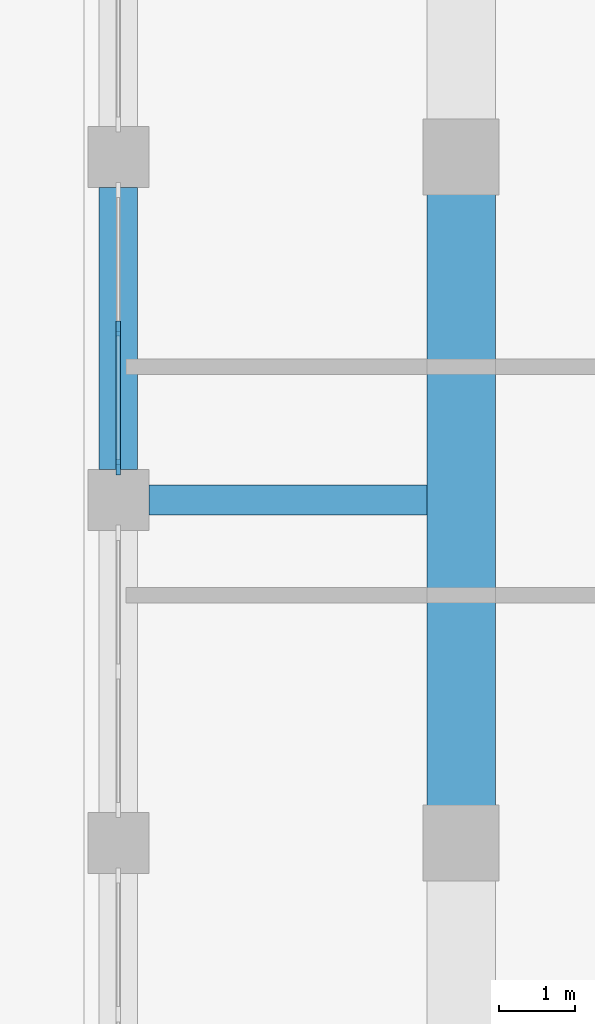
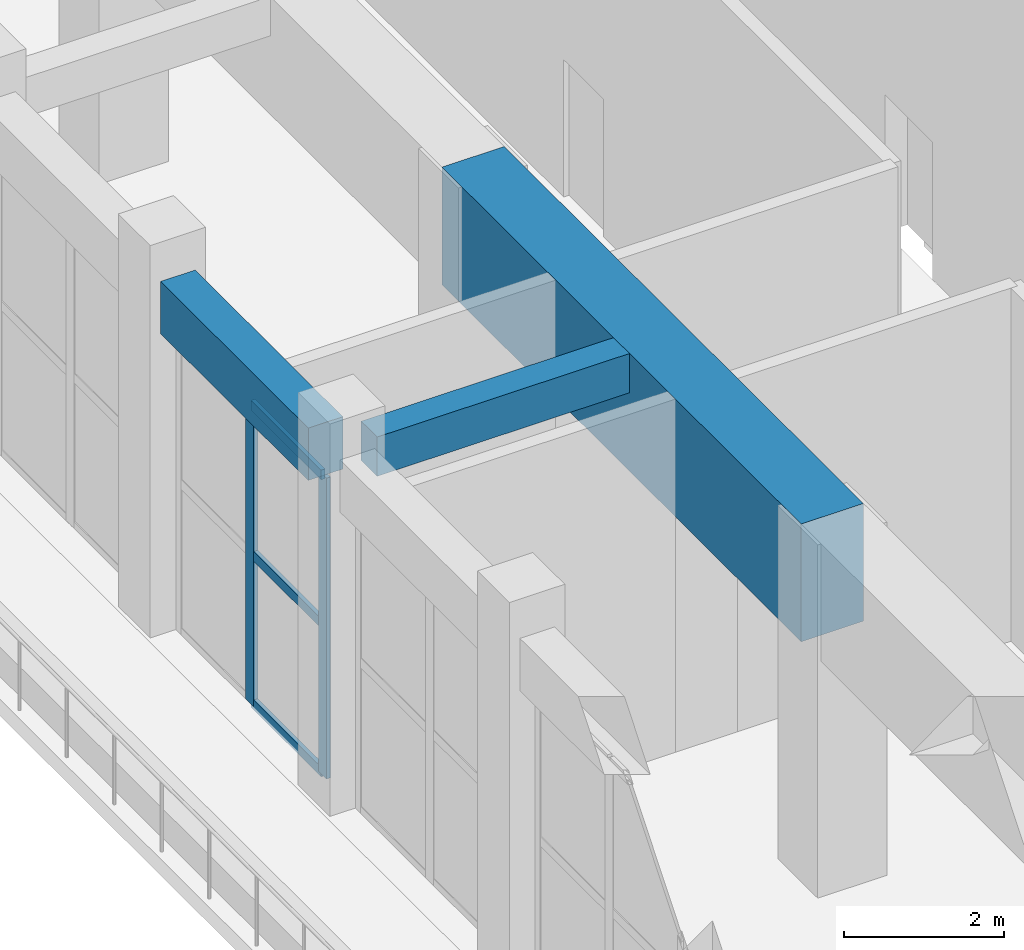
# One storey, part 3 of 20: 5 members, 3 beams, 1 element without a shape of its own.
"""IFC4 building model written with IfcOpenShell, lengths in metres."""

from ifc_helpers import new_model, si_unit, direction, frame, origin, origin_2d, place, context, subcontext, project, spatial, rectangle, extrude, material, material_profile, profile_set, type_object, element, aggregate, save


model = new_model("IFC4")

# Units and contexts
model_context = context("Model", 3, precision=1e-05, world=origin(), true_north=direction((0.0, 1.0)))
body_context = subcontext(model_context, "Body", "Model", "MODEL_VIEW")
ifc_project = project(units=[si_unit("LENGTHUNIT", "METRE"), si_unit("AREAUNIT", "SQUARE_METRE"), si_unit("VOLUMEUNIT", "CUBIC_METRE"), si_unit("PLANEANGLEUNIT", "RADIAN"), si_unit("MASSUNIT", "GRAM", prefix="KILO")], contexts=[model_context])

# Site, building, storey
site_placement = place(None, origin())
site = spatial("IfcSite", under=ifc_project, at=site_placement, CompositionType="ELEMENT")
building_placement = place(site_placement, origin())
building = spatial("IfcBuilding", under=site, at=building_placement, Name="Corbel Stack Research Tower", CompositionType="ELEMENT")
storey_placement = place(building_placement, frame((0.0, 0.0, 295.0)))
storey = spatial("IfcBuildingStorey", under=building, at=storey_placement, Name="L67", CompositionType="ELEMENT", Elevation=295.0)

# Curtain wall, members
ifc_material_1 = material(Name="Aluminium frame, clear glass", Category="aluminium")
curtain_wall_type = type_object("IfcCurtainWallType", Name="Upper amenity floor curtain wall CW3", PredefinedType="NOTDEFINED", material=ifc_material_1)
curtain_wall_placement = place(storey_placement, origin())
curtain_wall = element("IfcCurtainWall", 1, at=curtain_wall_placement, inside=storey, type_object=curtain_wall_type, Name="Curtain wall CW3 L67 W04", PredefinedType="NOTDEFINED")
ifc_material_2 = material(Name="Aluminium mullion", Category="aluminium")
ifc_material_profile_1 = material_profile(ifc_material_2, rectangle(XDim=0.06005859375, YDim=0.199951171875, at=origin_2d()), Name="Mullion 60 x 200")
ifc_profile_set_1 = profile_set([ifc_material_profile_1], Name="Aluminium mullion")
member_type_1 = type_object("IfcMemberType", Name="Curtain wall mullion 60 x 200", PredefinedType="MULLION", material=ifc_profile_set_1)
member_1_placement = place(storey_placement, frame((-22.5, 6.75, 0.0), z_axis=(0.0, 0.0, 1.0), x_axis=(1.0, 0.0, 0.0)))
member_1 = element("IfcMember", 2, at=member_1_placement, type_object=member_type_1, Name="CW3 mullion 2", PredefinedType="MULLION", context=body_context, shape_type="SweptSolid", body=[
    extrude(rectangle(XDim=0.06005859375, YDim=0.199951171875, at=origin_2d()), origin(), (0.0, 0.0, 1.0), 4.60009765625),
])
member_2_placement = place(storey_placement, frame((-22.5, 4.929931640625, 0.0), z_axis=(0.0, 0.0, 1.0), x_axis=(1.0, 0.0, 0.0)))
member_2 = element("IfcMember", 3, at=member_2_placement, type_object=member_type_1, Name="CW3 mullion 3", PredefinedType="MULLION", context=body_context, shape_type="SweptSolid", body=[
    extrude(rectangle(XDim=0.06005859375, YDim=0.199951171875, at=origin_2d()), origin(), (0.0, 0.0, 1.0), 4.60009765625),
])
ifc_material_3 = material(Name="Aluminium transom", Category="aluminium")
ifc_material_profile_2 = material_profile(ifc_material_3, rectangle(XDim=0.06005859375, YDim=0.14990234375, at=origin_2d()), Name="Transom 60 x 150")
ifc_profile_set_2 = profile_set([ifc_material_profile_2], Name="Aluminium transom")
member_type_2 = type_object("IfcMemberType", Name="Curtain wall transom 60 x 150", PredefinedType="USERDEFINED", material=ifc_profile_set_2)
member_3_placement = place(storey_placement, frame((-22.5, 6.719970703125, 0.030029296875), z_axis=(0.0, -1.0, 0.0), x_axis=(1.0, 0.0, 0.0)))
member_3 = element("IfcMember", 4, at=member_3_placement, type_object=member_type_2, Name="CW3 transom 2.1", ObjectType="TRANSOM", PredefinedType="USERDEFINED", context=body_context, shape_type="SweptSolid", body=[
    extrude(rectangle(XDim=0.06005859375, YDim=0.14990234375, at=origin_2d()), origin(), (0.0, 0.0, 1.0), 1.760009765625),
])
member_4_placement = place(storey_placement, frame((-22.5, 6.719970703125, 2.300048828125), z_axis=(0.0, -1.0, 0.0), x_axis=(1.0, 0.0, 0.0)))
member_4 = element("IfcMember", 5, at=member_4_placement, type_object=member_type_2, Name="CW3 transom 2.2", ObjectType="TRANSOM", PredefinedType="USERDEFINED", context=body_context, shape_type="SweptSolid", body=[
    extrude(rectangle(XDim=0.06005859375, YDim=0.14990234375, at=origin_2d()), origin(), (0.0, 0.0, 1.0), 1.760009765625),
])
member_5_placement = place(storey_placement, frame((-22.5, 6.719970703125, 4.570068359375), z_axis=(0.0, -1.0, 0.0), x_axis=(1.0, 0.0, 0.0)))
member_5 = element("IfcMember", 6, at=member_5_placement, type_object=member_type_2, Name="CW3 transom 2.3", ObjectType="TRANSOM", PredefinedType="USERDEFINED", context=body_context, shape_type="SweptSolid", body=[
    extrude(rectangle(XDim=0.06005859375, YDim=0.14990234375, at=origin_2d()), origin(), (0.0, 0.0, 1.0), 1.760009765625),
])
aggregate(curtain_wall, [member_1, member_2, member_3, member_4, member_5])

# Beams
ifc_material_4 = material(Name="Concrete C60/75", Category="concrete")
ifc_material_profile_3 = material_profile(ifc_material_4, rectangle(XDim=0.5, YDim=0.800048828125, at=origin_2d()), Name="RC 500 x 800")
ifc_profile_set_3 = profile_set([ifc_material_profile_3], Name="Concrete C60/75")
beam_type_1 = type_object("IfcBeamType", Name="SB-500-800-600", PredefinedType="SPANDREL", material=ifc_profile_set_3)
beam_1_placement = place(storey_placement, frame((-22.5, 8.60009765625, 5.0), z_axis=(0.0, -1.0, 0.0), x_axis=(1.0, 0.0, 0.0)))
element("IfcBeam", 7, at=beam_1_placement, inside=storey, type_object=beam_type_1, Name="Spandrel beam L67-31", PredefinedType="SPANDREL", context=body_context, shape_type="SweptSolid", body=[
    extrude(rectangle(XDim=0.5, YDim=0.800048828125, at=origin_2d()), origin(), (0.0, 0.0, 1.0), 3.7001953125),
])
ifc_material_5 = material(Name="Concrete C60/75", Category="concrete")
ifc_material_profile_4 = material_profile(ifc_material_5, rectangle(XDim=0.39990234375, YDim=0.60009765625, at=origin_2d()), Name="RC 400 x 600")
ifc_profile_set_4 = profile_set([ifc_material_profile_4], Name="Concrete C60/75")
beam_type_2 = type_object("IfcBeamType", Name="TG-400-600", PredefinedType="BEAM", material=ifc_profile_set_4)
beam_2_placement = place(storey_placement, frame((-18.449951171875, 4.5, 5.10009765625), z_axis=(-1.0, 0.0, 0.0), x_axis=(0.0, -1.0, 0.0)))
element("IfcBeam", 8, at=beam_2_placement, inside=storey, type_object=beam_type_2, Name="Transfer tie beam L67 t4J", PredefinedType="BEAM", context=body_context, shape_type="SweptSolid", body=[
    extrude(rectangle(XDim=0.39990234375, YDim=0.60009765625, at=origin_2d()), origin(), (0.0, 0.0, 1.0), 3.650146484375),
])
ifc_material_6 = material(Name="Concrete C60/75", Category="concrete")
ifc_material_profile_5 = material_profile(ifc_material_6, rectangle(XDim=0.89990234375, YDim=1.800048828125, at=origin_2d()), Name="RC 900 x 1800")
ifc_profile_set_5 = profile_set([ifc_material_profile_5], Name="Concrete C60/75")
beam_type_3 = type_object("IfcBeamType", Name="TG-900-1800", PredefinedType="BEAM", material=ifc_profile_set_5)
beam_3_placement = place(storey_placement, frame((-18.0, 0.0, 4.5), z_axis=(0.0, 1.0, 0.0), x_axis=(-1.0, 0.0, 0.0)))
element("IfcBeam", 9, at=beam_3_placement, inside=storey, type_object=beam_type_3, Name="Transfer girder along the step L67 Wl0", PredefinedType="BEAM", context=body_context, shape_type="SweptSolid", body=[
    extrude(rectangle(XDim=0.89990234375, YDim=1.800048828125, at=origin_2d()), origin(), (0.0, 0.0, 1.0), 9.0),
])

save(model, "model.ifc")
